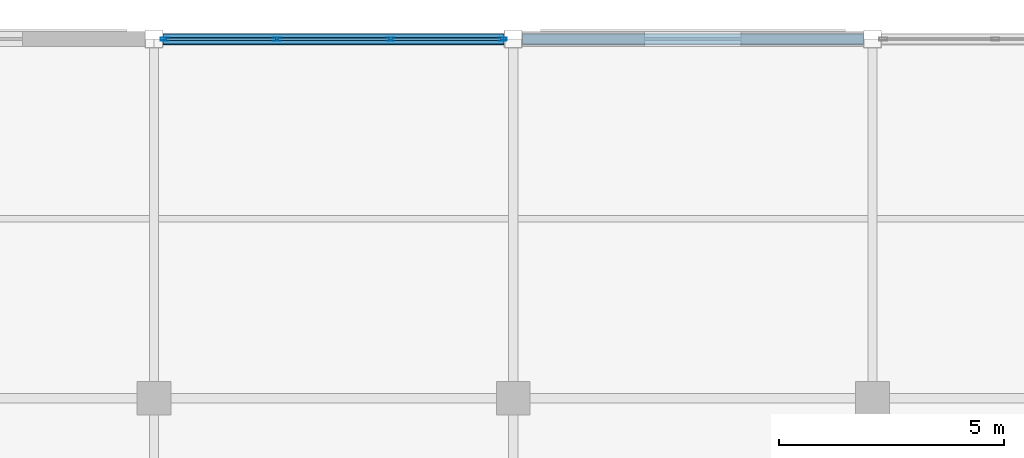
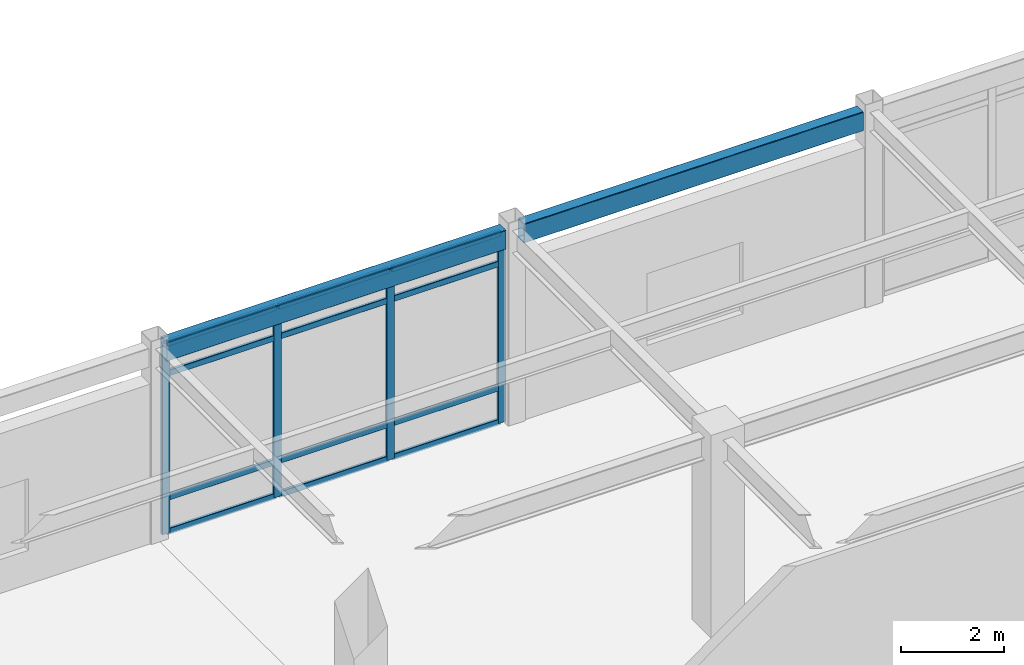
# One storey, part 79 of 117: 16 members, 2 beams, 1 element without a shape of its own.
"""IFC4 building model written with IfcOpenShell, lengths in metres."""

from ifc_helpers import new_model, si_unit, direction, frame, origin, origin_2d, place, context, subcontext, project, spatial, hollow_rectangle, extrude, material, material_profile, profile_set, type_object, element, aggregate, save


model = new_model("IFC4")

# Units and contexts
model_context = context("Model", 3, precision=1e-05, world=origin(), true_north=direction((0.0, 1.0)))
body_context = subcontext(model_context, "Body", "Model", "MODEL_VIEW")
ifc_project = project(units=[si_unit("LENGTHUNIT", "METRE"), si_unit("AREAUNIT", "SQUARE_METRE"), si_unit("VOLUMEUNIT", "CUBIC_METRE"), si_unit("PLANEANGLEUNIT", "RADIAN"), si_unit("MASSUNIT", "GRAM", prefix="KILO")], contexts=[model_context])

# Site, building, storey
site_placement = place(None, origin())
site = spatial("IfcSite", under=ifc_project, at=site_placement, CompositionType="ELEMENT")
building_placement = place(site_placement, origin())
building = spatial("IfcBuilding", under=site, at=building_placement, Name="Solmirada Galleria", CompositionType="ELEMENT")
storey_placement = place(building_placement, frame((0.0, 0.0, 5.60009765625)))
storey = spatial("IfcBuildingStorey", under=building, at=storey_placement, Name="L01", CompositionType="ELEMENT", Elevation=5.60009765625)

# Beams
ifc_material_1 = material(Name="Steel S355 / ASTM A500 Grade C", Category="steel")
ifc_material_profile_1 = material_profile(ifc_material_1, hollow_rectangle(XDim=0.25390625, YDim=0.45703125, WallThickness=0.01171875, InnerFilletRadius=0.01171875, OuterFilletRadius=0.023681640625, at=origin_2d()), Name="HSS18X10X1/2")
ifc_profile_set_1 = profile_set([ifc_material_profile_1], Name="Steel S355 / ASTM A500 Grade C")
beam_type = type_object("IfcBeamType", Name="BM-SPAND-W18", PredefinedType="SPANDREL", material=ifc_profile_set_1)
for number, where, z_axis, x_axis, name in (
    (1, (152.202880859375, 120.0, 4.371337890625), (1.0, 0.0, 0.0), (0.0, 1.0, 0.0), "Primary beam L02 X(152..160, 120)"),
    (2, (160.202880859375, 120.0, 4.371337890625), (1.0, 0.0, 0.0), (0.0, 1.0, 0.0), "Primary beam L02 X(160..168, 120)"),
):
    element("IfcBeam", number, at=place(storey_placement, frame(where, z_axis=z_axis, x_axis=x_axis)), inside=storey, type_object=beam_type, Name=name, PredefinedType="SPANDREL", context=body_context, shape_type="SweptSolid", body=[
        extrude(hollow_rectangle(XDim=0.25390625, YDim=0.45703125, WallThickness=0.01171875, InnerFilletRadius=0.01171875, OuterFilletRadius=0.023681640625, at=origin_2d()), origin(), (0.0, 0.0, 1.0), 7.59423828125),
    ])

# Curtain wall, members
ifc_material_2 = material(Name="Impact-resistant low-E double glazing", Category="glass")
curtain_wall_type = type_object("IfcCurtainWallType", Name="CW-FZ2-L01-B3-L076", PredefinedType="NOTDEFINED", material=ifc_material_2)
curtain_wall_placement = place(storey_placement, origin())
curtain_wall = element("IfcCurtainWall", 3, at=curtain_wall_placement, inside=storey, type_object=curtain_wall_type, Name="Terrace and arcade storefront CW-L01-058", PredefinedType="NOTDEFINED")
ifc_material_3 = material(Name="Anodised aluminium framing", Category="aluminium")
ifc_material_profile_2 = material_profile(ifc_material_3, hollow_rectangle(XDim=0.06494140625, YDim=0.179931640625, WallThickness=0.00390625, InnerFilletRadius=0.00390625, OuterFilletRadius=0.008056640625, at=origin_2d()), Name="ALU-MULL-180X65")
ifc_profile_set_2 = profile_set([ifc_material_profile_2], Name="Anodised aluminium framing")
member_type_1 = type_object("IfcMemberType", Name="CW-MULL-180", PredefinedType="MULLION", material=ifc_profile_set_2)
member_1_placement = place(storey_placement, frame((152.237548828125, 120.0, 0.0), z_axis=(0.0, 0.0, 1.0), x_axis=(0.0, 1.0, 0.0)))
member_1 = element("IfcMember", 4, at=member_1_placement, type_object=member_type_1, Name="CW15 mullion 1", PredefinedType="MULLION", context=body_context, shape_type="SweptSolid", body=[
    extrude(hollow_rectangle(XDim=0.06494140625, YDim=0.179931640625, WallThickness=0.00390625, InnerFilletRadius=0.00390625, OuterFilletRadius=0.008056640625, at=origin_2d()), origin(), (0.0, 0.0, 1.0), 4.52001953125),
])
member_2_placement = place(storey_placement, frame((154.735107421875, 120.0, 0.0), z_axis=(0.0, 0.0, 1.0), x_axis=(0.0, 1.0, 0.0)))
member_2 = element("IfcMember", 5, at=member_2_placement, type_object=member_type_1, Name="CW15 mullion 2", PredefinedType="MULLION", context=body_context, shape_type="SweptSolid", body=[
    extrude(hollow_rectangle(XDim=0.06494140625, YDim=0.179931640625, WallThickness=0.00390625, InnerFilletRadius=0.00390625, OuterFilletRadius=0.008056640625, at=origin_2d()), origin(), (0.0, 0.0, 1.0), 4.52001953125),
])
member_3_placement = place(storey_placement, frame((157.264892578125, 120.0, 0.0), z_axis=(0.0, 0.0, 1.0), x_axis=(0.0, 1.0, 0.0)))
member_3 = element("IfcMember", 6, at=member_3_placement, type_object=member_type_1, Name="CW15 mullion 3", PredefinedType="MULLION", context=body_context, shape_type="SweptSolid", body=[
    extrude(hollow_rectangle(XDim=0.06494140625, YDim=0.179931640625, WallThickness=0.00390625, InnerFilletRadius=0.00390625, OuterFilletRadius=0.008056640625, at=origin_2d()), origin(), (0.0, 0.0, 1.0), 4.52001953125),
])
member_4_placement = place(storey_placement, frame((159.762451171875, 120.0, 0.0), z_axis=(0.0, 0.0, 1.0), x_axis=(0.0, 1.0, 0.0)))
member_4 = element("IfcMember", 7, at=member_4_placement, type_object=member_type_1, Name="CW15 mullion 4", PredefinedType="MULLION", context=body_context, shape_type="SweptSolid", body=[
    extrude(hollow_rectangle(XDim=0.06494140625, YDim=0.179931640625, WallThickness=0.00390625, InnerFilletRadius=0.00390625, OuterFilletRadius=0.008056640625, at=origin_2d()), origin(), (0.0, 0.0, 1.0), 4.52001953125),
])
ifc_material_profile_3 = material_profile(ifc_material_3, hollow_rectangle(XDim=0.06494140625, YDim=0.139892578125, WallThickness=0.00341796875, InnerFilletRadius=0.00341796875, OuterFilletRadius=0.007080078125, at=origin_2d()), Name="ALU-TRAN-140X65")
ifc_profile_set_3 = profile_set([ifc_material_profile_3], Name="Anodised aluminium framing")
member_type_2 = type_object("IfcMemberType", Name="CW-TRAN-140", PredefinedType="USERDEFINED", material=ifc_profile_set_3)
member_5_placement = place(storey_placement, frame((152.27001953125, 120.0, 0.032470703125), z_axis=(1.0, 0.0, 0.0), x_axis=(0.0, 1.0, 0.0)))
member_5 = element("IfcMember", 8, at=member_5_placement, type_object=member_type_2, Name="CW15 transom 1.1", ObjectType="TRANSOM", PredefinedType="USERDEFINED", context=body_context, shape_type="SweptSolid", body=[
    extrude(hollow_rectangle(XDim=0.06494140625, YDim=0.139892578125, WallThickness=0.00341796875, InnerFilletRadius=0.00341796875, OuterFilletRadius=0.007080078125, at=origin_2d()), origin(), (0.0, 0.0, 1.0), 2.432373046875),
])
member_6_placement = place(storey_placement, frame((152.27001953125, 120.0, 0.83984375), z_axis=(1.0, 0.0, 0.0), x_axis=(0.0, 1.0, 0.0)))
member_6 = element("IfcMember", 9, at=member_6_placement, type_object=member_type_2, Name="CW15 transom 1.2", ObjectType="TRANSOM", PredefinedType="USERDEFINED", context=body_context, shape_type="SweptSolid", body=[
    extrude(hollow_rectangle(XDim=0.06494140625, YDim=0.139892578125, WallThickness=0.00341796875, InnerFilletRadius=0.00341796875, OuterFilletRadius=0.007080078125, at=origin_2d()), origin(), (0.0, 0.0, 1.0), 2.432373046875),
])
member_7_placement = place(storey_placement, frame((152.27001953125, 120.0, 3.77978515625), z_axis=(1.0, 0.0, 0.0), x_axis=(0.0, 1.0, 0.0)))
member_7 = element("IfcMember", 10, at=member_7_placement, type_object=member_type_2, Name="CW15 transom 1.3", ObjectType="TRANSOM", PredefinedType="USERDEFINED", context=body_context, shape_type="SweptSolid", body=[
    extrude(hollow_rectangle(XDim=0.06494140625, YDim=0.139892578125, WallThickness=0.00341796875, InnerFilletRadius=0.00341796875, OuterFilletRadius=0.007080078125, at=origin_2d()), origin(), (0.0, 0.0, 1.0), 2.432373046875),
])
member_8_placement = place(storey_placement, frame((152.27001953125, 120.0, 4.4873046875), z_axis=(1.0, 0.0, 0.0), x_axis=(0.0, 1.0, 0.0)))
member_8 = element("IfcMember", 11, at=member_8_placement, type_object=member_type_2, Name="CW15 transom 1.4", ObjectType="TRANSOM", PredefinedType="USERDEFINED", context=body_context, shape_type="SweptSolid", body=[
    extrude(hollow_rectangle(XDim=0.06494140625, YDim=0.139892578125, WallThickness=0.00341796875, InnerFilletRadius=0.00341796875, OuterFilletRadius=0.007080078125, at=origin_2d()), origin(), (0.0, 0.0, 1.0), 2.432373046875),
])
member_9_placement = place(storey_placement, frame((154.767578125, 120.0, 0.032470703125), z_axis=(1.0, 0.0, 0.0), x_axis=(0.0, 1.0, 0.0)))
member_9 = element("IfcMember", 12, at=member_9_placement, type_object=member_type_2, Name="CW15 transom 2.1", ObjectType="TRANSOM", PredefinedType="USERDEFINED", context=body_context, shape_type="SweptSolid", body=[
    extrude(hollow_rectangle(XDim=0.06494140625, YDim=0.139892578125, WallThickness=0.00341796875, InnerFilletRadius=0.00341796875, OuterFilletRadius=0.007080078125, at=origin_2d()), origin(), (0.0, 0.0, 1.0), 2.46484375),
])
member_10_placement = place(storey_placement, frame((154.767578125, 120.0, 0.83984375), z_axis=(1.0, 0.0, 0.0), x_axis=(0.0, 1.0, 0.0)))
member_10 = element("IfcMember", 13, at=member_10_placement, type_object=member_type_2, Name="CW15 transom 2.2", ObjectType="TRANSOM", PredefinedType="USERDEFINED", context=body_context, shape_type="SweptSolid", body=[
    extrude(hollow_rectangle(XDim=0.06494140625, YDim=0.139892578125, WallThickness=0.00341796875, InnerFilletRadius=0.00341796875, OuterFilletRadius=0.007080078125, at=origin_2d()), origin(), (0.0, 0.0, 1.0), 2.46484375),
])
member_11_placement = place(storey_placement, frame((154.767578125, 120.0, 3.77978515625), z_axis=(1.0, 0.0, 0.0), x_axis=(0.0, 1.0, 0.0)))
member_11 = element("IfcMember", 14, at=member_11_placement, type_object=member_type_2, Name="CW15 transom 2.3", ObjectType="TRANSOM", PredefinedType="USERDEFINED", context=body_context, shape_type="SweptSolid", body=[
    extrude(hollow_rectangle(XDim=0.06494140625, YDim=0.139892578125, WallThickness=0.00341796875, InnerFilletRadius=0.00341796875, OuterFilletRadius=0.007080078125, at=origin_2d()), origin(), (0.0, 0.0, 1.0), 2.46484375),
])
member_12_placement = place(storey_placement, frame((154.767578125, 120.0, 4.4873046875), z_axis=(1.0, 0.0, 0.0), x_axis=(0.0, 1.0, 0.0)))
member_12 = element("IfcMember", 15, at=member_12_placement, type_object=member_type_2, Name="CW15 transom 2.4", ObjectType="TRANSOM", PredefinedType="USERDEFINED", context=body_context, shape_type="SweptSolid", body=[
    extrude(hollow_rectangle(XDim=0.06494140625, YDim=0.139892578125, WallThickness=0.00341796875, InnerFilletRadius=0.00341796875, OuterFilletRadius=0.007080078125, at=origin_2d()), origin(), (0.0, 0.0, 1.0), 2.46484375),
])
member_13_placement = place(storey_placement, frame((157.297607421875, 120.0, 0.032470703125), z_axis=(1.0, 0.0, 0.0), x_axis=(0.0, 1.0, 0.0)))
member_13 = element("IfcMember", 16, at=member_13_placement, type_object=member_type_2, Name="CW15 transom 3.1", ObjectType="TRANSOM", PredefinedType="USERDEFINED", context=body_context, shape_type="SweptSolid", body=[
    extrude(hollow_rectangle(XDim=0.06494140625, YDim=0.139892578125, WallThickness=0.00341796875, InnerFilletRadius=0.00341796875, OuterFilletRadius=0.007080078125, at=origin_2d()), origin(), (0.0, 0.0, 1.0), 2.432373046875),
])
member_14_placement = place(storey_placement, frame((157.297607421875, 120.0, 0.83984375), z_axis=(1.0, 0.0, 0.0), x_axis=(0.0, 1.0, 0.0)))
member_14 = element("IfcMember", 17, at=member_14_placement, type_object=member_type_2, Name="CW15 transom 3.2", ObjectType="TRANSOM", PredefinedType="USERDEFINED", context=body_context, shape_type="SweptSolid", body=[
    extrude(hollow_rectangle(XDim=0.06494140625, YDim=0.139892578125, WallThickness=0.00341796875, InnerFilletRadius=0.00341796875, OuterFilletRadius=0.007080078125, at=origin_2d()), origin(), (0.0, 0.0, 1.0), 2.432373046875),
])
member_15_placement = place(storey_placement, frame((157.297607421875, 120.0, 3.77978515625), z_axis=(1.0, 0.0, 0.0), x_axis=(0.0, 1.0, 0.0)))
member_15 = element("IfcMember", 18, at=member_15_placement, type_object=member_type_2, Name="CW15 transom 3.3", ObjectType="TRANSOM", PredefinedType="USERDEFINED", context=body_context, shape_type="SweptSolid", body=[
    extrude(hollow_rectangle(XDim=0.06494140625, YDim=0.139892578125, WallThickness=0.00341796875, InnerFilletRadius=0.00341796875, OuterFilletRadius=0.007080078125, at=origin_2d()), origin(), (0.0, 0.0, 1.0), 2.432373046875),
])
member_16_placement = place(storey_placement, frame((157.297607421875, 120.0, 4.4873046875), z_axis=(1.0, 0.0, 0.0), x_axis=(0.0, 1.0, 0.0)))
member_16 = element("IfcMember", 19, at=member_16_placement, type_object=member_type_2, Name="CW15 transom 3.4", ObjectType="TRANSOM", PredefinedType="USERDEFINED", context=body_context, shape_type="SweptSolid", body=[
    extrude(hollow_rectangle(XDim=0.06494140625, YDim=0.139892578125, WallThickness=0.00341796875, InnerFilletRadius=0.00341796875, OuterFilletRadius=0.007080078125, at=origin_2d()), origin(), (0.0, 0.0, 1.0), 2.432373046875),
])
aggregate(curtain_wall, [member_1, member_2, member_3, member_4, member_5, member_6, member_7, member_8, member_9, member_10, member_11, member_12, member_13, member_14, member_15, member_16])

save(model, "model.ifc")
